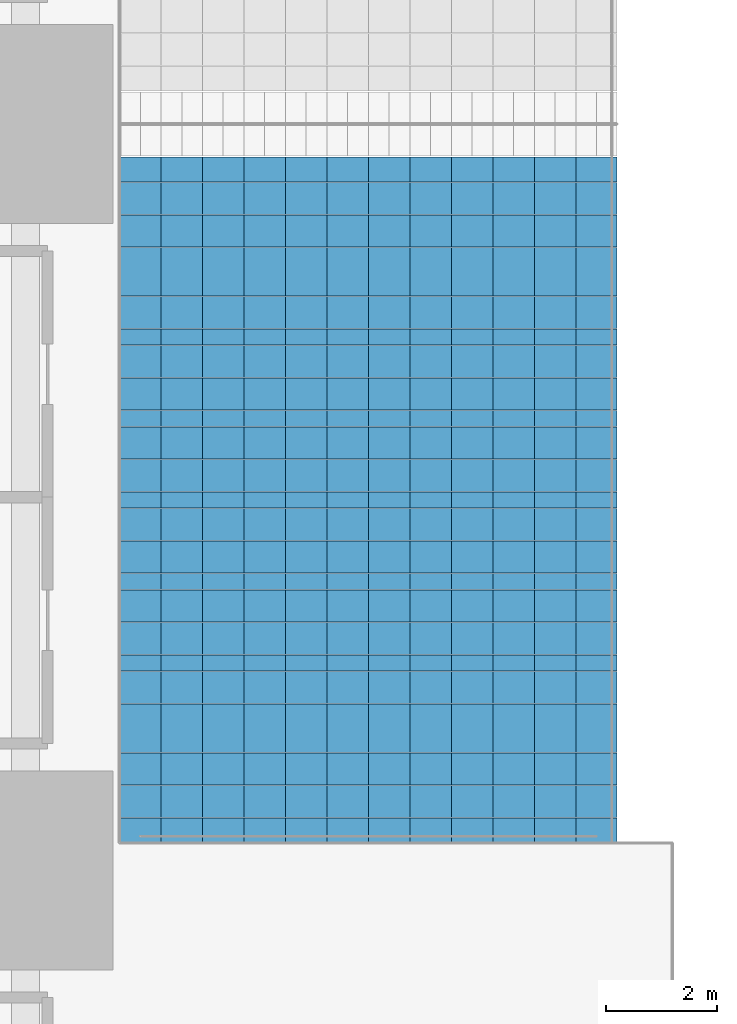
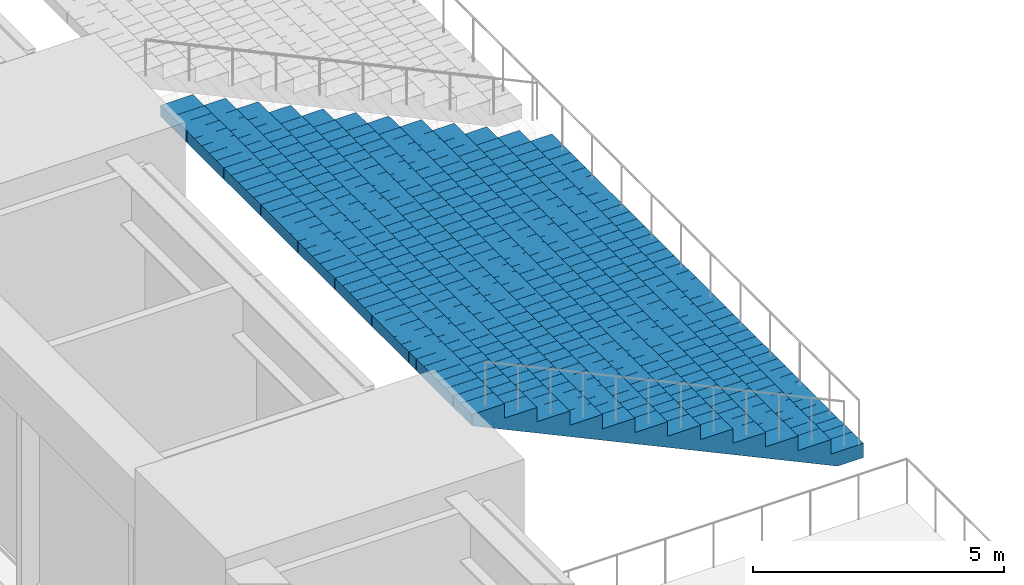
# One storey, part 14 of 61: 1 slab.
"""IFC4 building model written with IfcOpenShell, lengths in metres."""

import ifcopenshell
import ifcopenshell.guid

model = None  # the IFC model being written
_history = None  # IfcOwnerHistory: only IFC2X3 demands one
_inside = {}  # id of a spatial element -> (the spatial element, [elements in it])
_under = {}  # id of a project, library or spatial element -> (it, [spatial elements below it])
_declared = {}  # id of a project -> (the project, [libraries it declares])
_typed = {}  # id of a type object -> (the type object, [elements of that type])
_made_of = {}  # id of a material, layer set ... -> (it, [elements and type objects made of it])


def new_model(schema):
    """Start an empty IFC model of exactly this schema.

    Asked for "IFC4X3", IfcOpenShell would pick the latest addendum, in which some entities
    have other attributes; the version numbers below select the first issue.
    IFC2X3 requires an IfcOwnerHistory on every rooted entity: one is made here for all.
    """
    global model, _history
    if schema == "IFC4X3":
        model = ifcopenshell.file(schema_version=(4, 3, 0, 0))
    else:
        model = ifcopenshell.file(schema=schema)
    _inside.clear()
    _under.clear()
    _declared.clear()
    _typed.clear()
    _made_of.clear()
    _history = None
    if model.schema == "IFC2X3":
        org = make("IfcOrganization", Name="unknown")
        user = make(
            "IfcPersonAndOrganization",
            ThePerson=make("IfcPerson", FamilyName="unknown"),
            TheOrganization=org,
        )
        app = make(
            "IfcApplication",
            ApplicationDeveloper=org,
            Version="unknown",
            ApplicationFullName="unknown",
            ApplicationIdentifier="unknown",
        )
        _history = make(
            "IfcOwnerHistory",
            OwningUser=user,
            OwningApplication=app,
            ChangeAction="ADDED",
            CreationDate=0,
        )
    return model


def make(cls, **values):
    """One entity of the class cls with the attributes given. An attribute that is None is left unset."""
    return model.create_entity(
        cls, **{name: value for name, value in values.items() if value is not None}
    )


def rooted(cls, **values):
    """An entity with a GlobalId (a new one), such as an element, a storey or a relation."""
    return make(cls, GlobalId=ifcopenshell.guid.new(), OwnerHistory=_history, **values)


def si_unit(unit_type, name, prefix=None):
    """IfcSIUnit, for example si_unit("LENGTHUNIT", "METRE", prefix="MILLI")."""
    return make("IfcSIUnit", UnitType=unit_type, Prefix=prefix, Name=name)


def assignment(units):
    """IfcUnitAssignment: the units of a project."""
    return None if units is None else make("IfcUnitAssignment", Units=units)


def point(xyz):
    """IfcCartesianPoint."""
    return None if xyz is None else make("IfcCartesianPoint", Coordinates=xyz)


def direction(xyz):
    """IfcDirection."""
    return None if xyz is None else make("IfcDirection", DirectionRatios=xyz)


def frame(location, z_axis=None, x_axis=None):
    """IfcAxis2Placement3D, a coordinate frame: its origin and axes. An axis left out is left unset."""
    return make(
        "IfcAxis2Placement3D",
        Location=point(location),
        Axis=direction(z_axis),
        RefDirection=direction(x_axis),
    )


def origin():
    """The frame at (0, 0, 0) with its axes left unset."""
    return frame((0.0, 0.0, 0.0))


def place(relative_to, where):
    """IfcLocalPlacement: puts the frame where relative to a parent placement (None: the world)."""
    return make(
        "IfcLocalPlacement", PlacementRelTo=relative_to, RelativePlacement=where
    )


def context(
    kind, dimensions, precision=None, world=None, true_north=None, identifier=None
):
    """IfcGeometricRepresentationContext, for example the 3D "Model" context."""
    return make(
        "IfcGeometricRepresentationContext",
        ContextIdentifier=identifier,
        ContextType=kind,
        CoordinateSpaceDimension=dimensions,
        Precision=precision,
        WorldCoordinateSystem=world,
        TrueNorth=true_north,
    )


def subcontext(parent, identifier, kind, view, scale=None):
    """IfcGeometricRepresentationSubContext, for example "Body" below "Model"."""
    return make(
        "IfcGeometricRepresentationSubContext",
        ContextIdentifier=identifier,
        ContextType=kind,
        ParentContext=parent,
        TargetScale=scale,
        TargetView=view,
    )


def project(units=None, contexts=None):
    """IfcProject with its units and contexts."""
    return rooted(
        "IfcProject",
        Name="project",
        RepresentationContexts=contexts,
        UnitsInContext=assignment(units),
    )


def spatial(cls, under=None, at=None, **own):
    """A site, building, storey or space (cls), placed at a placement, below another one or the project."""
    s = rooted(cls, ObjectPlacement=at, **own)
    if under is not None:
        _under.setdefault(under.id(), (under, []))[1].append(s)
    return s


def polyline(points):
    """IfcPolyline through the points."""
    return make("IfcPolyline", Points=[point(p) for p in points])


def outline(outer, holes=None, kind="AREA"):
    """IfcArbitraryClosedProfileDef: a profile drawn as a closed curve; with holes, ...WithVoids."""
    if holes is None:
        return make("IfcArbitraryClosedProfileDef", ProfileType=kind, OuterCurve=outer)
    return make(
        "IfcArbitraryProfileDefWithVoids",
        ProfileType=kind,
        OuterCurve=outer,
        InnerCurves=holes,
    )


def extrude(swept, where, along, depth):
    """IfcExtrudedAreaSolid: the profile swept, set in the frame where, extruded along a direction by depth."""
    return make(
        "IfcExtrudedAreaSolid",
        SweptArea=swept,
        Position=where,
        ExtrudedDirection=direction(along),
        Depth=depth,
    )


def shape(context_of_items, identifier, shape_type, items):
    """IfcShapeRepresentation: the items that make up one representation, for example the "Body"."""
    return make(
        "IfcShapeRepresentation",
        ContextOfItems=context_of_items,
        RepresentationIdentifier=identifier,
        RepresentationType=shape_type,
        Items=items,
    )


def material(Name=None, Category=None):
    """IfcMaterial."""
    return make("IfcMaterial", Name=Name, Category=Category)


def layer(
    of_material, thickness, ventilated=None, Name=None, Category=None, Priority=None
):
    """IfcMaterialLayer: one layer of a wall or slab, of a material (None: an air gap)."""
    return make(
        "IfcMaterialLayer",
        Material=of_material,
        LayerThickness=thickness,
        IsVentilated=ventilated,
        Name=Name,
        Category=Category,
        Priority=Priority,
    )


def layer_set(layers, Name=None):
    """IfcMaterialLayerSet."""
    return make("IfcMaterialLayerSet", MaterialLayers=layers, LayerSetName=Name)


def made_of(thing, what):
    """Note that an element or type object is made of a material, layer set ...; save() writes the relation."""
    if what is not None:
        _made_of.setdefault(what.id(), (what, []))[1].append(thing)
    return thing


def type_object(cls, material=None, **own):
    """A type object (cls), such as IfcWallType, which elements share."""
    return made_of(rooted(cls, **own), material)


def element(
    cls,
    number,
    at=None,
    inside=None,
    cuts=None,
    type_object=None,
    material=None,
    context=None,
    identifier="Body",
    shape_type=None,
    held_by="IfcProductDefinitionShape",
    body=None,
    shapes=None,
    **own,
):
    """One element of the class cls, such as IfcWall. Its Tag is "e" and its number.

    at: its placement. inside: the storey or other place that contains it. cuts: it is an
    opening in that element (IfcRelVoidsElement). A single representation is given by context,
    identifier, shape_type and body (its items); several are given by shapes. held_by: the class
    of the entity that holds the representations. save() writes the other relations.
    """
    e = rooted(cls, Tag="e%d" % number, ObjectPlacement=at, **own)
    if body is not None:
        shapes = [shape(context, identifier, shape_type, body)]
    if shapes is not None:
        e.Representation = make(held_by, Representations=shapes)
    if inside is not None:
        _inside.setdefault(inside.id(), (inside, []))[1].append(e)
    if cuts is not None:
        rooted(
            "IfcRelVoidsElement", RelatingBuildingElement=cuts, RelatedOpeningElement=e
        )
    if type_object is not None:
        _typed.setdefault(type_object.id(), (type_object, []))[1].append(e)
    return made_of(e, material)


def aggregate(whole, parts):
    """IfcRelAggregates: a whole, such as a stair, and the parts it consists of."""
    return rooted("IfcRelAggregates", RelatingObject=whole, RelatedObjects=parts)


def save(model, path):
    """Write the relations noted so far, then the file.

    IfcRelAggregates (storeys below a building ...), IfcRelContainedInSpatialStructure (elements
    in a storey), IfcRelDefinesByType, IfcRelAssociatesMaterial and IfcRelDeclares: one each for
    every whole, place, type object, material and project.
    """
    for whole, parts in _under.values():
        aggregate(whole, parts)
    for where, things in _inside.values():
        rooted(
            "IfcRelContainedInSpatialStructure",
            RelatedElements=things,
            RelatingStructure=where,
        )
    for kind, things in _typed.values():
        rooted("IfcRelDefinesByType", RelatedObjects=things, RelatingType=kind)
    for what, things in _made_of.values():
        rooted("IfcRelAssociatesMaterial", RelatedObjects=things, RelatingMaterial=what)
    for by, libraries in _declared.values():
        rooted("IfcRelDeclares", RelatingContext=by, RelatedDefinitions=libraries)
    model.write(path)


model = new_model("IFC4")

# Units and contexts
model_context = context("Model", 3, precision=1e-05, world=origin(), true_north=direction((0.0, 1.0)))
body_context = subcontext(model_context, "Body", "Model", "MODEL_VIEW")
ifc_project = project(units=[si_unit("LENGTHUNIT", "METRE"), si_unit("AREAUNIT", "SQUARE_METRE"), si_unit("VOLUMEUNIT", "CUBIC_METRE"), si_unit("PLANEANGLEUNIT", "RADIAN"), si_unit("MASSUNIT", "GRAM", prefix="KILO")], contexts=[model_context])

# Site, building, storey
site_placement = place(None, origin())
site = spatial("IfcSite", under=ifc_project, at=site_placement, CompositionType="ELEMENT")
building_placement = place(site_placement, origin())
building = spatial("IfcBuilding", under=site, at=building_placement, Name="Corbelhall Arena Tower", CompositionType="ELEMENT")
storey_placement = place(building_placement, frame((0.0, 0.0, 31.0)))
storey = spatial("IfcBuildingStorey", under=building, at=storey_placement, Name="L04", CompositionType="ELEMENT", Elevation=31.0)

# Slab
ifc_material = material(Name="Precast concrete C40/50", Category="concrete")
ifc_layer = layer(ifc_material, 0.25)
ifc_layer_set = layer_set([ifc_layer], Name="AR-TIER-RAKED")
slab_type = type_object("IfcSlabType", Name="AR-TIER-RAKED", PredefinedType="FLOOR", material=ifc_layer_set)
slab_placement = place(storey_placement, frame((-32.0, -6.800048828125, 1.449951171875), z_axis=(0.0, 0.0, 1.0), x_axis=(-1.0, 0.0, 0.0)))
element("IfcSlab", 1, at=slab_placement, inside=storey, type_object=slab_type, Name="Tier section UWB", PredefinedType="FLOOR", context=body_context, shape_type="SweptSolid", body=[
    extrude(outline(polyline([(0.0, 0.0), (0.0, 0.35009765625), (0.75, 0.35009765625), (0.75, 0.699951171875), (1.5, 0.699951171875), (1.5, 1.050048828125), (2.25, 1.050048828125), (2.25, 1.39990234375), (3.0, 1.39990234375), (3.0, 1.75), (3.75, 1.75), (3.75, 2.10009765625), (4.5, 2.10009765625), (4.5, 2.449951171875), (5.25, 2.449951171875), (5.25, 2.800048828125), (6.0, 2.800048828125), (6.0, 3.14990234375), (6.75, 3.14990234375), (6.75, 3.5), (7.5, 3.5), (7.5, 3.85009765625), (8.25, 3.85009765625), (8.25, 4.199951171875), (9.0, 4.199951171875), (9.0, 4.550048828125), (9.0, 3.924072265625), (0.591064453125, 0.0), (0.0, 0.0)])), frame((0.0, 6.199951171875, 0.0), z_axis=(0.0, -1.0, 0.0), x_axis=(1.0, 0.0, 0.0)), (0.0, 0.0, 1.0), 0.449951171875),
    extrude(outline(polyline([(0.0, 0.0), (0.0, 0.35009765625), (0.75, 0.35009765625), (0.75, 0.699951171875), (1.5, 0.699951171875), (1.5, 1.050048828125), (2.25, 1.050048828125), (2.25, 1.39990234375), (3.0, 1.39990234375), (3.0, 1.75), (3.75, 1.75), (3.75, 2.10009765625), (4.5, 2.10009765625), (4.5, 2.449951171875), (5.25, 2.449951171875), (5.25, 2.800048828125), (6.0, 2.800048828125), (6.0, 3.14990234375), (6.75, 3.14990234375), (6.75, 3.5), (7.5, 3.5), (7.5, 3.85009765625), (8.25, 3.85009765625), (8.25, 4.199951171875), (9.0, 4.199951171875), (9.0, 4.550048828125), (9.0, 3.924072265625), (0.591064453125, 0.0), (0.0, 0.0)])), frame((0.0, 5.745849609375, 0.0), z_axis=(0.0, -1.0, 0.0), x_axis=(1.0, 0.0, 0.0)), (0.0, 0.0, 1.0), 0.290771484375),
    extrude(outline(polyline([(0.0, 0.0), (0.0, 0.35009765625), (0.75, 0.35009765625), (0.75, 0.699951171875), (1.5, 0.699951171875), (1.5, 1.050048828125), (2.25, 1.050048828125), (2.25, 1.39990234375), (3.0, 1.39990234375), (3.0, 1.75), (3.75, 1.75), (3.75, 2.10009765625), (4.5, 2.10009765625), (4.5, 2.449951171875), (5.25, 2.449951171875), (5.25, 2.800048828125), (6.0, 2.800048828125), (6.0, 3.14990234375), (6.75, 3.14990234375), (6.75, 3.5), (7.5, 3.5), (7.5, 3.85009765625), (8.25, 3.85009765625), (8.25, 4.199951171875), (9.0, 4.199951171875), (9.0, 4.550048828125), (9.0, 3.924072265625), (0.591064453125, 0.0), (0.0, 0.0)])), frame((0.0, 5.451171875, 0.0), z_axis=(0.0, -1.0, 0.0), x_axis=(1.0, 0.0, 0.0)), (0.0, 0.0, 1.0), 0.290771484375),
    extrude(outline(polyline([(0.0, 0.0), (0.0, 0.35009765625), (0.75, 0.35009765625), (0.75, 0.699951171875), (1.5, 0.699951171875), (1.5, 1.050048828125), (2.25, 1.050048828125), (2.25, 1.39990234375), (3.0, 1.39990234375), (3.0, 1.75), (3.75, 1.75), (3.75, 2.10009765625), (4.5, 2.10009765625), (4.5, 2.449951171875), (5.25, 2.449951171875), (5.25, 2.800048828125), (6.0, 2.800048828125), (6.0, 3.14990234375), (6.75, 3.14990234375), (6.75, 3.5), (7.5, 3.5), (7.5, 3.85009765625), (8.25, 3.85009765625), (8.25, 4.199951171875), (9.0, 4.199951171875), (9.0, 4.550048828125), (9.0, 3.924072265625), (0.591064453125, 0.0), (0.0, 0.0)])), frame((0.0, 5.156494140625, 0.0), z_axis=(0.0, -1.0, 0.0), x_axis=(1.0, 0.0, 0.0)), (0.0, 0.0, 1.0), 0.290771484375),
    extrude(outline(polyline([(0.0, 0.0), (0.0, 0.35009765625), (0.75, 0.35009765625), (0.75, 0.699951171875), (1.5, 0.699951171875), (1.5, 1.050048828125), (2.25, 1.050048828125), (2.25, 1.39990234375), (3.0, 1.39990234375), (3.0, 1.75), (3.75, 1.75), (3.75, 2.10009765625), (4.5, 2.10009765625), (4.5, 2.449951171875), (5.25, 2.449951171875), (5.25, 2.800048828125), (6.0, 2.800048828125), (6.0, 3.14990234375), (6.75, 3.14990234375), (6.75, 3.5), (7.5, 3.5), (7.5, 3.85009765625), (8.25, 3.85009765625), (8.25, 4.199951171875), (9.0, 4.199951171875), (9.0, 4.550048828125), (9.0, 3.924072265625), (0.591064453125, 0.0), (0.0, 0.0)])), frame((0.0, 4.861572265625, 0.0), z_axis=(0.0, -1.0, 0.0), x_axis=(1.0, 0.0, 0.0)), (0.0, 0.0, 1.0), 0.290771484375),
    extrude(outline(polyline([(0.0, 0.0), (0.0, 0.35009765625), (0.75, 0.35009765625), (0.75, 0.699951171875), (1.5, 0.699951171875), (1.5, 1.050048828125), (2.25, 1.050048828125), (2.25, 1.39990234375), (3.0, 1.39990234375), (3.0, 1.75), (3.75, 1.75), (3.75, 2.10009765625), (4.5, 2.10009765625), (4.5, 2.449951171875), (5.25, 2.449951171875), (5.25, 2.800048828125), (6.0, 2.800048828125), (6.0, 3.14990234375), (6.75, 3.14990234375), (6.75, 3.5), (7.5, 3.5), (7.5, 3.85009765625), (8.25, 3.85009765625), (8.25, 4.199951171875), (9.0, 4.199951171875), (9.0, 4.550048828125), (9.0, 3.924072265625), (0.591064453125, 0.0), (0.0, 0.0)])), frame((0.0, 4.56689453125, 0.0), z_axis=(0.0, -1.0, 0.0), x_axis=(1.0, 0.0, 0.0)), (0.0, 0.0, 1.0), 0.290771484375),
    extrude(outline(polyline([(0.0, 0.0), (0.0, 0.35009765625), (0.75, 0.35009765625), (0.75, 0.699951171875), (1.5, 0.699951171875), (1.5, 1.050048828125), (2.25, 1.050048828125), (2.25, 1.39990234375), (3.0, 1.39990234375), (3.0, 1.75), (3.75, 1.75), (3.75, 2.10009765625), (4.5, 2.10009765625), (4.5, 2.449951171875), (5.25, 2.449951171875), (5.25, 2.800048828125), (6.0, 2.800048828125), (6.0, 3.14990234375), (6.75, 3.14990234375), (6.75, 3.5), (7.5, 3.5), (7.5, 3.85009765625), (8.25, 3.85009765625), (8.25, 4.199951171875), (9.0, 4.199951171875), (9.0, 4.550048828125), (9.0, 3.924072265625), (0.591064453125, 0.0), (0.0, 0.0)])), frame((0.0, 4.272216796875, 0.0), z_axis=(0.0, -1.0, 0.0), x_axis=(1.0, 0.0, 0.0)), (0.0, 0.0, 1.0), 0.290771484375),
    extrude(outline(polyline([(0.0, 0.0), (0.0, 0.35009765625), (0.75, 0.35009765625), (0.75, 0.699951171875), (1.5, 0.699951171875), (1.5, 1.050048828125), (2.25, 1.050048828125), (2.25, 1.39990234375), (3.0, 1.39990234375), (3.0, 1.75), (3.75, 1.75), (3.75, 2.10009765625), (4.5, 2.10009765625), (4.5, 2.449951171875), (5.25, 2.449951171875), (5.25, 2.800048828125), (6.0, 2.800048828125), (6.0, 3.14990234375), (6.75, 3.14990234375), (6.75, 3.5), (7.5, 3.5), (7.5, 3.85009765625), (8.25, 3.85009765625), (8.25, 4.199951171875), (9.0, 4.199951171875), (9.0, 4.550048828125), (9.0, 3.924072265625), (0.591064453125, 0.0), (0.0, 0.0)])), frame((0.0, 3.977294921875, 0.0), z_axis=(0.0, -1.0, 0.0), x_axis=(1.0, 0.0, 0.0)), (0.0, 0.0, 1.0), 0.290771484375),
    extrude(outline(polyline([(0.0, 0.0), (0.0, 0.35009765625), (0.75, 0.35009765625), (0.75, 0.699951171875), (1.5, 0.699951171875), (1.5, 1.050048828125), (2.25, 1.050048828125), (2.25, 1.39990234375), (3.0, 1.39990234375), (3.0, 1.75), (3.75, 1.75), (3.75, 2.10009765625), (4.5, 2.10009765625), (4.5, 2.449951171875), (5.25, 2.449951171875), (5.25, 2.800048828125), (6.0, 2.800048828125), (6.0, 3.14990234375), (6.75, 3.14990234375), (6.75, 3.5), (7.5, 3.5), (7.5, 3.85009765625), (8.25, 3.85009765625), (8.25, 4.199951171875), (9.0, 4.199951171875), (9.0, 4.550048828125), (9.0, 3.924072265625), (0.591064453125, 0.0), (0.0, 0.0)])), frame((0.0, 3.6826171875, 0.0), z_axis=(0.0, -1.0, 0.0), x_axis=(1.0, 0.0, 0.0)), (0.0, 0.0, 1.0), 0.290771484375),
    extrude(outline(polyline([(0.0, 0.0), (0.0, 0.35009765625), (0.75, 0.35009765625), (0.75, 0.699951171875), (1.5, 0.699951171875), (1.5, 1.050048828125), (2.25, 1.050048828125), (2.25, 1.39990234375), (3.0, 1.39990234375), (3.0, 1.75), (3.75, 1.75), (3.75, 2.10009765625), (4.5, 2.10009765625), (4.5, 2.449951171875), (5.25, 2.449951171875), (5.25, 2.800048828125), (6.0, 2.800048828125), (6.0, 3.14990234375), (6.75, 3.14990234375), (6.75, 3.5), (7.5, 3.5), (7.5, 3.85009765625), (8.25, 3.85009765625), (8.25, 4.199951171875), (9.0, 4.199951171875), (9.0, 4.550048828125), (9.0, 3.924072265625), (0.591064453125, 0.0), (0.0, 0.0)])), frame((0.0, 3.3876953125, 0.0), z_axis=(0.0, -1.0, 0.0), x_axis=(1.0, 0.0, 0.0)), (0.0, 0.0, 1.0), 0.290771484375),
    extrude(outline(polyline([(0.0, 0.0), (0.0, 0.35009765625), (0.75, 0.35009765625), (0.75, 0.699951171875), (1.5, 0.699951171875), (1.5, 1.050048828125), (2.25, 1.050048828125), (2.25, 1.39990234375), (3.0, 1.39990234375), (3.0, 1.75), (3.75, 1.75), (3.75, 2.10009765625), (4.5, 2.10009765625), (4.5, 2.449951171875), (5.25, 2.449951171875), (5.25, 2.800048828125), (6.0, 2.800048828125), (6.0, 3.14990234375), (6.75, 3.14990234375), (6.75, 3.5), (7.5, 3.5), (7.5, 3.85009765625), (8.25, 3.85009765625), (8.25, 4.199951171875), (9.0, 4.199951171875), (9.0, 4.550048828125), (9.0, 3.924072265625), (0.591064453125, 0.0), (0.0, 0.0)])), frame((0.0, 3.093017578125, 0.0), z_axis=(0.0, -1.0, 0.0), x_axis=(1.0, 0.0, 0.0)), (0.0, 0.0, 1.0), 0.290771484375),
    extrude(outline(polyline([(0.0, 0.0), (0.0, 0.35009765625), (0.75, 0.35009765625), (0.75, 0.699951171875), (1.5, 0.699951171875), (1.5, 1.050048828125), (2.25, 1.050048828125), (2.25, 1.39990234375), (3.0, 1.39990234375), (3.0, 1.75), (3.75, 1.75), (3.75, 2.10009765625), (4.5, 2.10009765625), (4.5, 2.449951171875), (5.25, 2.449951171875), (5.25, 2.800048828125), (6.0, 2.800048828125), (6.0, 3.14990234375), (6.75, 3.14990234375), (6.75, 3.5), (7.5, 3.5), (7.5, 3.85009765625), (8.25, 3.85009765625), (8.25, 4.199951171875), (9.0, 4.199951171875), (9.0, 4.550048828125), (9.0, 3.924072265625), (0.591064453125, 0.0), (0.0, 0.0)])), frame((0.0, 2.79833984375, 0.0), z_axis=(0.0, -1.0, 0.0), x_axis=(1.0, 0.0, 0.0)), (0.0, 0.0, 1.0), 0.290771484375),
    extrude(outline(polyline([(0.0, 0.0), (0.0, 0.35009765625), (0.75, 0.35009765625), (0.75, 0.699951171875), (1.5, 0.699951171875), (1.5, 1.050048828125), (2.25, 1.050048828125), (2.25, 1.39990234375), (3.0, 1.39990234375), (3.0, 1.75), (3.75, 1.75), (3.75, 2.10009765625), (4.5, 2.10009765625), (4.5, 2.449951171875), (5.25, 2.449951171875), (5.25, 2.800048828125), (6.0, 2.800048828125), (6.0, 3.14990234375), (6.75, 3.14990234375), (6.75, 3.5), (7.5, 3.5), (7.5, 3.85009765625), (8.25, 3.85009765625), (8.25, 4.199951171875), (9.0, 4.199951171875), (9.0, 4.550048828125), (9.0, 3.924072265625), (0.591064453125, 0.0), (0.0, 0.0)])), frame((0.0, 2.50341796875, 0.0), z_axis=(0.0, -1.0, 0.0), x_axis=(1.0, 0.0, 0.0)), (0.0, 0.0, 1.0), 0.290771484375),
    extrude(outline(polyline([(0.0, 0.0), (0.0, 0.35009765625), (0.75, 0.35009765625), (0.75, 0.699951171875), (1.5, 0.699951171875), (1.5, 1.050048828125), (2.25, 1.050048828125), (2.25, 1.39990234375), (3.0, 1.39990234375), (3.0, 1.75), (3.75, 1.75), (3.75, 2.10009765625), (4.5, 2.10009765625), (4.5, 2.449951171875), (5.25, 2.449951171875), (5.25, 2.800048828125), (6.0, 2.800048828125), (6.0, 3.14990234375), (6.75, 3.14990234375), (6.75, 3.5), (7.5, 3.5), (7.5, 3.85009765625), (8.25, 3.85009765625), (8.25, 4.199951171875), (9.0, 4.199951171875), (9.0, 4.550048828125), (9.0, 3.924072265625), (0.591064453125, 0.0), (0.0, 0.0)])), frame((0.0, 2.208740234375, 0.0), z_axis=(0.0, -1.0, 0.0), x_axis=(1.0, 0.0, 0.0)), (0.0, 0.0, 1.0), 0.290771484375),
    extrude(outline(polyline([(0.0, 0.0), (0.0, 0.35009765625), (0.75, 0.35009765625), (0.75, 0.699951171875), (1.5, 0.699951171875), (1.5, 1.050048828125), (2.25, 1.050048828125), (2.25, 1.39990234375), (3.0, 1.39990234375), (3.0, 1.75), (3.75, 1.75), (3.75, 2.10009765625), (4.5, 2.10009765625), (4.5, 2.449951171875), (5.25, 2.449951171875), (5.25, 2.800048828125), (6.0, 2.800048828125), (6.0, 3.14990234375), (6.75, 3.14990234375), (6.75, 3.5), (7.5, 3.5), (7.5, 3.85009765625), (8.25, 3.85009765625), (8.25, 4.199951171875), (9.0, 4.199951171875), (9.0, 4.550048828125), (9.0, 3.924072265625), (0.591064453125, 0.0), (0.0, 0.0)])), frame((0.0, 1.9140625, 0.0), z_axis=(0.0, -1.0, 0.0), x_axis=(1.0, 0.0, 0.0)), (0.0, 0.0, 1.0), 0.290771484375),
    extrude(outline(polyline([(0.0, 0.0), (0.0, 0.35009765625), (0.75, 0.35009765625), (0.75, 0.699951171875), (1.5, 0.699951171875), (1.5, 1.050048828125), (2.25, 1.050048828125), (2.25, 1.39990234375), (3.0, 1.39990234375), (3.0, 1.75), (3.75, 1.75), (3.75, 2.10009765625), (4.5, 2.10009765625), (4.5, 2.449951171875), (5.25, 2.449951171875), (5.25, 2.800048828125), (6.0, 2.800048828125), (6.0, 3.14990234375), (6.75, 3.14990234375), (6.75, 3.5), (7.5, 3.5), (7.5, 3.85009765625), (8.25, 3.85009765625), (8.25, 4.199951171875), (9.0, 4.199951171875), (9.0, 4.550048828125), (9.0, 3.924072265625), (0.591064453125, 0.0), (0.0, 0.0)])), frame((0.0, 1.619140625, 0.0), z_axis=(0.0, -1.0, 0.0), x_axis=(1.0, 0.0, 0.0)), (0.0, 0.0, 1.0), 0.290771484375),
    extrude(outline(polyline([(0.0, 0.0), (0.0, 0.35009765625), (0.75, 0.35009765625), (0.75, 0.699951171875), (1.5, 0.699951171875), (1.5, 1.050048828125), (2.25, 1.050048828125), (2.25, 1.39990234375), (3.0, 1.39990234375), (3.0, 1.75), (3.75, 1.75), (3.75, 2.10009765625), (4.5, 2.10009765625), (4.5, 2.449951171875), (5.25, 2.449951171875), (5.25, 2.800048828125), (6.0, 2.800048828125), (6.0, 3.14990234375), (6.75, 3.14990234375), (6.75, 3.5), (7.5, 3.5), (7.5, 3.85009765625), (8.25, 3.85009765625), (8.25, 4.199951171875), (9.0, 4.199951171875), (9.0, 4.550048828125), (9.0, 3.924072265625), (0.591064453125, 0.0), (0.0, 0.0)])), frame((0.0, 1.324462890625, 0.0), z_axis=(0.0, -1.0, 0.0), x_axis=(1.0, 0.0, 0.0)), (0.0, 0.0, 1.0), 0.290771484375),
    extrude(outline(polyline([(0.0, 0.0), (0.0, 0.35009765625), (0.75, 0.35009765625), (0.75, 0.699951171875), (1.5, 0.699951171875), (1.5, 1.050048828125), (2.25, 1.050048828125), (2.25, 1.39990234375), (3.0, 1.39990234375), (3.0, 1.75), (3.75, 1.75), (3.75, 2.10009765625), (4.5, 2.10009765625), (4.5, 2.449951171875), (5.25, 2.449951171875), (5.25, 2.800048828125), (6.0, 2.800048828125), (6.0, 3.14990234375), (6.75, 3.14990234375), (6.75, 3.5), (7.5, 3.5), (7.5, 3.85009765625), (8.25, 3.85009765625), (8.25, 4.199951171875), (9.0, 4.199951171875), (9.0, 4.550048828125), (9.0, 3.924072265625), (0.591064453125, 0.0), (0.0, 0.0)])), frame((0.0, 1.02978515625, 0.0), z_axis=(0.0, -1.0, 0.0), x_axis=(1.0, 0.0, 0.0)), (0.0, 0.0, 1.0), 0.290771484375),
    extrude(outline(polyline([(0.0, 0.0), (0.0, 0.35009765625), (0.75, 0.35009765625), (0.75, 0.699951171875), (1.5, 0.699951171875), (1.5, 1.050048828125), (2.25, 1.050048828125), (2.25, 1.39990234375), (3.0, 1.39990234375), (3.0, 1.75), (3.75, 1.75), (3.75, 2.10009765625), (4.5, 2.10009765625), (4.5, 2.449951171875), (5.25, 2.449951171875), (5.25, 2.800048828125), (6.0, 2.800048828125), (6.0, 3.14990234375), (6.75, 3.14990234375), (6.75, 3.5), (7.5, 3.5), (7.5, 3.85009765625), (8.25, 3.85009765625), (8.25, 4.199951171875), (9.0, 4.199951171875), (9.0, 4.550048828125), (9.0, 3.924072265625), (0.591064453125, 0.0), (0.0, 0.0)])), frame((0.0, 0.73486328125, 0.0), z_axis=(0.0, -1.0, 0.0), x_axis=(1.0, 0.0, 0.0)), (0.0, 0.0, 1.0), 0.290771484375),
    extrude(outline(polyline([(0.0, 0.0), (0.0, 0.35009765625), (0.75, 0.35009765625), (0.75, 0.699951171875), (1.5, 0.699951171875), (1.5, 1.050048828125), (2.25, 1.050048828125), (2.25, 1.39990234375), (3.0, 1.39990234375), (3.0, 1.75), (3.75, 1.75), (3.75, 2.10009765625), (4.5, 2.10009765625), (4.5, 2.449951171875), (5.25, 2.449951171875), (5.25, 2.800048828125), (6.0, 2.800048828125), (6.0, 3.14990234375), (6.75, 3.14990234375), (6.75, 3.5), (7.5, 3.5), (7.5, 3.85009765625), (8.25, 3.85009765625), (8.25, 4.199951171875), (9.0, 4.199951171875), (9.0, 4.550048828125), (9.0, 3.924072265625), (0.591064453125, 0.0), (0.0, 0.0)])), frame((0.0, 0.440185546875, 0.0), z_axis=(0.0, -1.0, 0.0), x_axis=(1.0, 0.0, 0.0)), (0.0, 0.0, 1.0), 0.290771484375),
    extrude(outline(polyline([(0.0, 0.0), (0.0, 0.35009765625), (0.75, 0.35009765625), (0.75, 0.699951171875), (1.5, 0.699951171875), (1.5, 1.050048828125), (2.25, 1.050048828125), (2.25, 1.39990234375), (3.0, 1.39990234375), (3.0, 1.75), (3.75, 1.75), (3.75, 2.10009765625), (4.5, 2.10009765625), (4.5, 2.449951171875), (5.25, 2.449951171875), (5.25, 2.800048828125), (6.0, 2.800048828125), (6.0, 3.14990234375), (6.75, 3.14990234375), (6.75, 3.5), (7.5, 3.5), (7.5, 3.85009765625), (8.25, 3.85009765625), (8.25, 4.199951171875), (9.0, 4.199951171875), (9.0, 4.550048828125), (9.0, 3.924072265625), (0.591064453125, 0.0), (0.0, 0.0)])), frame((0.0, 0.145263671875, 0.0), z_axis=(0.0, -1.0, 0.0), x_axis=(1.0, 0.0, 0.0)), (0.0, 0.0, 1.0), 0.290771484375),
    extrude(outline(polyline([(0.0, 0.0), (0.0, 0.35009765625), (0.75, 0.35009765625), (0.75, 0.699951171875), (1.5, 0.699951171875), (1.5, 1.050048828125), (2.25, 1.050048828125), (2.25, 1.39990234375), (3.0, 1.39990234375), (3.0, 1.75), (3.75, 1.75), (3.75, 2.10009765625), (4.5, 2.10009765625), (4.5, 2.449951171875), (5.25, 2.449951171875), (5.25, 2.800048828125), (6.0, 2.800048828125), (6.0, 3.14990234375), (6.75, 3.14990234375), (6.75, 3.5), (7.5, 3.5), (7.5, 3.85009765625), (8.25, 3.85009765625), (8.25, 4.199951171875), (9.0, 4.199951171875), (9.0, 4.550048828125), (9.0, 3.924072265625), (0.591064453125, 0.0), (0.0, 0.0)])), frame((0.0, -0.1494140625, 0.0), z_axis=(0.0, -1.0, 0.0), x_axis=(1.0, 0.0, 0.0)), (0.0, 0.0, 1.0), 0.290771484375),
    extrude(outline(polyline([(0.0, 0.0), (0.0, 0.35009765625), (0.75, 0.35009765625), (0.75, 0.699951171875), (1.5, 0.699951171875), (1.5, 1.050048828125), (2.25, 1.050048828125), (2.25, 1.39990234375), (3.0, 1.39990234375), (3.0, 1.75), (3.75, 1.75), (3.75, 2.10009765625), (4.5, 2.10009765625), (4.5, 2.449951171875), (5.25, 2.449951171875), (5.25, 2.800048828125), (6.0, 2.800048828125), (6.0, 3.14990234375), (6.75, 3.14990234375), (6.75, 3.5), (7.5, 3.5), (7.5, 3.85009765625), (8.25, 3.85009765625), (8.25, 4.199951171875), (9.0, 4.199951171875), (9.0, 4.550048828125), (9.0, 3.924072265625), (0.591064453125, 0.0), (0.0, 0.0)])), frame((0.0, -0.444091796875, 0.0), z_axis=(0.0, -1.0, 0.0), x_axis=(1.0, 0.0, 0.0)), (0.0, 0.0, 1.0), 0.290771484375),
    extrude(outline(polyline([(0.0, 0.0), (0.0, 0.35009765625), (0.75, 0.35009765625), (0.75, 0.699951171875), (1.5, 0.699951171875), (1.5, 1.050048828125), (2.25, 1.050048828125), (2.25, 1.39990234375), (3.0, 1.39990234375), (3.0, 1.75), (3.75, 1.75), (3.75, 2.10009765625), (4.5, 2.10009765625), (4.5, 2.449951171875), (5.25, 2.449951171875), (5.25, 2.800048828125), (6.0, 2.800048828125), (6.0, 3.14990234375), (6.75, 3.14990234375), (6.75, 3.5), (7.5, 3.5), (7.5, 3.85009765625), (8.25, 3.85009765625), (8.25, 4.199951171875), (9.0, 4.199951171875), (9.0, 4.550048828125), (9.0, 3.924072265625), (0.591064453125, 0.0), (0.0, 0.0)])), frame((0.0, -0.739013671875, 0.0), z_axis=(0.0, -1.0, 0.0), x_axis=(1.0, 0.0, 0.0)), (0.0, 0.0, 1.0), 0.290771484375),
    extrude(outline(polyline([(0.0, 0.0), (0.0, 0.35009765625), (0.75, 0.35009765625), (0.75, 0.699951171875), (1.5, 0.699951171875), (1.5, 1.050048828125), (2.25, 1.050048828125), (2.25, 1.39990234375), (3.0, 1.39990234375), (3.0, 1.75), (3.75, 1.75), (3.75, 2.10009765625), (4.5, 2.10009765625), (4.5, 2.449951171875), (5.25, 2.449951171875), (5.25, 2.800048828125), (6.0, 2.800048828125), (6.0, 3.14990234375), (6.75, 3.14990234375), (6.75, 3.5), (7.5, 3.5), (7.5, 3.85009765625), (8.25, 3.85009765625), (8.25, 4.199951171875), (9.0, 4.199951171875), (9.0, 4.550048828125), (9.0, 3.924072265625), (0.591064453125, 0.0), (0.0, 0.0)])), frame((0.0, -1.03369140625, 0.0), z_axis=(0.0, -1.0, 0.0), x_axis=(1.0, 0.0, 0.0)), (0.0, 0.0, 1.0), 0.290771484375),
    extrude(outline(polyline([(0.0, 0.0), (0.0, 0.35009765625), (0.75, 0.35009765625), (0.75, 0.699951171875), (1.5, 0.699951171875), (1.5, 1.050048828125), (2.25, 1.050048828125), (2.25, 1.39990234375), (3.0, 1.39990234375), (3.0, 1.75), (3.75, 1.75), (3.75, 2.10009765625), (4.5, 2.10009765625), (4.5, 2.449951171875), (5.25, 2.449951171875), (5.25, 2.800048828125), (6.0, 2.800048828125), (6.0, 3.14990234375), (6.75, 3.14990234375), (6.75, 3.5), (7.5, 3.5), (7.5, 3.85009765625), (8.25, 3.85009765625), (8.25, 4.199951171875), (9.0, 4.199951171875), (9.0, 4.550048828125), (9.0, 3.924072265625), (0.591064453125, 0.0), (0.0, 0.0)])), frame((0.0, -1.328369140625, 0.0), z_axis=(0.0, -1.0, 0.0), x_axis=(1.0, 0.0, 0.0)), (0.0, 0.0, 1.0), 0.290771484375),
    extrude(outline(polyline([(0.0, 0.0), (0.0, 0.35009765625), (0.75, 0.35009765625), (0.75, 0.699951171875), (1.5, 0.699951171875), (1.5, 1.050048828125), (2.25, 1.050048828125), (2.25, 1.39990234375), (3.0, 1.39990234375), (3.0, 1.75), (3.75, 1.75), (3.75, 2.10009765625), (4.5, 2.10009765625), (4.5, 2.449951171875), (5.25, 2.449951171875), (5.25, 2.800048828125), (6.0, 2.800048828125), (6.0, 3.14990234375), (6.75, 3.14990234375), (6.75, 3.5), (7.5, 3.5), (7.5, 3.85009765625), (8.25, 3.85009765625), (8.25, 4.199951171875), (9.0, 4.199951171875), (9.0, 4.550048828125), (9.0, 3.924072265625), (0.591064453125, 0.0), (0.0, 0.0)])), frame((0.0, -1.623291015625, 0.0), z_axis=(0.0, -1.0, 0.0), x_axis=(1.0, 0.0, 0.0)), (0.0, 0.0, 1.0), 0.290771484375),
    extrude(outline(polyline([(0.0, 0.0), (0.0, 0.35009765625), (0.75, 0.35009765625), (0.75, 0.699951171875), (1.5, 0.699951171875), (1.5, 1.050048828125), (2.25, 1.050048828125), (2.25, 1.39990234375), (3.0, 1.39990234375), (3.0, 1.75), (3.75, 1.75), (3.75, 2.10009765625), (4.5, 2.10009765625), (4.5, 2.449951171875), (5.25, 2.449951171875), (5.25, 2.800048828125), (6.0, 2.800048828125), (6.0, 3.14990234375), (6.75, 3.14990234375), (6.75, 3.5), (7.5, 3.5), (7.5, 3.85009765625), (8.25, 3.85009765625), (8.25, 4.199951171875), (9.0, 4.199951171875), (9.0, 4.550048828125), (9.0, 3.924072265625), (0.591064453125, 0.0), (0.0, 0.0)])), frame((0.0, -1.91796875, 0.0), z_axis=(0.0, -1.0, 0.0), x_axis=(1.0, 0.0, 0.0)), (0.0, 0.0, 1.0), 0.290771484375),
    extrude(outline(polyline([(0.0, 0.0), (0.0, 0.35009765625), (0.75, 0.35009765625), (0.75, 0.699951171875), (1.5, 0.699951171875), (1.5, 1.050048828125), (2.25, 1.050048828125), (2.25, 1.39990234375), (3.0, 1.39990234375), (3.0, 1.75), (3.75, 1.75), (3.75, 2.10009765625), (4.5, 2.10009765625), (4.5, 2.449951171875), (5.25, 2.449951171875), (5.25, 2.800048828125), (6.0, 2.800048828125), (6.0, 3.14990234375), (6.75, 3.14990234375), (6.75, 3.5), (7.5, 3.5), (7.5, 3.85009765625), (8.25, 3.85009765625), (8.25, 4.199951171875), (9.0, 4.199951171875), (9.0, 4.550048828125), (9.0, 3.924072265625), (0.591064453125, 0.0), (0.0, 0.0)])), frame((0.0, -2.212646484375, 0.0), z_axis=(0.0, -1.0, 0.0), x_axis=(1.0, 0.0, 0.0)), (0.0, 0.0, 1.0), 0.290771484375),
    extrude(outline(polyline([(0.0, 0.0), (0.0, 0.35009765625), (0.75, 0.35009765625), (0.75, 0.699951171875), (1.5, 0.699951171875), (1.5, 1.050048828125), (2.25, 1.050048828125), (2.25, 1.39990234375), (3.0, 1.39990234375), (3.0, 1.75), (3.75, 1.75), (3.75, 2.10009765625), (4.5, 2.10009765625), (4.5, 2.449951171875), (5.25, 2.449951171875), (5.25, 2.800048828125), (6.0, 2.800048828125), (6.0, 3.14990234375), (6.75, 3.14990234375), (6.75, 3.5), (7.5, 3.5), (7.5, 3.85009765625), (8.25, 3.85009765625), (8.25, 4.199951171875), (9.0, 4.199951171875), (9.0, 4.550048828125), (9.0, 3.924072265625), (0.591064453125, 0.0), (0.0, 0.0)])), frame((0.0, -2.507568359375, 0.0), z_axis=(0.0, -1.0, 0.0), x_axis=(1.0, 0.0, 0.0)), (0.0, 0.0, 1.0), 0.290771484375),
    extrude(outline(polyline([(0.0, 0.0), (0.0, 0.35009765625), (0.75, 0.35009765625), (0.75, 0.699951171875), (1.5, 0.699951171875), (1.5, 1.050048828125), (2.25, 1.050048828125), (2.25, 1.39990234375), (3.0, 1.39990234375), (3.0, 1.75), (3.75, 1.75), (3.75, 2.10009765625), (4.5, 2.10009765625), (4.5, 2.449951171875), (5.25, 2.449951171875), (5.25, 2.800048828125), (6.0, 2.800048828125), (6.0, 3.14990234375), (6.75, 3.14990234375), (6.75, 3.5), (7.5, 3.5), (7.5, 3.85009765625), (8.25, 3.85009765625), (8.25, 4.199951171875), (9.0, 4.199951171875), (9.0, 4.550048828125), (9.0, 3.924072265625), (0.591064453125, 0.0), (0.0, 0.0)])), frame((0.0, -2.80224609375, 0.0), z_axis=(0.0, -1.0, 0.0), x_axis=(1.0, 0.0, 0.0)), (0.0, 0.0, 1.0), 0.290771484375),
    extrude(outline(polyline([(0.0, 0.0), (0.0, 0.35009765625), (0.75, 0.35009765625), (0.75, 0.699951171875), (1.5, 0.699951171875), (1.5, 1.050048828125), (2.25, 1.050048828125), (2.25, 1.39990234375), (3.0, 1.39990234375), (3.0, 1.75), (3.75, 1.75), (3.75, 2.10009765625), (4.5, 2.10009765625), (4.5, 2.449951171875), (5.25, 2.449951171875), (5.25, 2.800048828125), (6.0, 2.800048828125), (6.0, 3.14990234375), (6.75, 3.14990234375), (6.75, 3.5), (7.5, 3.5), (7.5, 3.85009765625), (8.25, 3.85009765625), (8.25, 4.199951171875), (9.0, 4.199951171875), (9.0, 4.550048828125), (9.0, 3.924072265625), (0.591064453125, 0.0), (0.0, 0.0)])), frame((0.0, -3.09716796875, 0.0), z_axis=(0.0, -1.0, 0.0), x_axis=(1.0, 0.0, 0.0)), (0.0, 0.0, 1.0), 0.290771484375),
    extrude(outline(polyline([(0.0, 0.0), (0.0, 0.35009765625), (0.75, 0.35009765625), (0.75, 0.699951171875), (1.5, 0.699951171875), (1.5, 1.050048828125), (2.25, 1.050048828125), (2.25, 1.39990234375), (3.0, 1.39990234375), (3.0, 1.75), (3.75, 1.75), (3.75, 2.10009765625), (4.5, 2.10009765625), (4.5, 2.449951171875), (5.25, 2.449951171875), (5.25, 2.800048828125), (6.0, 2.800048828125), (6.0, 3.14990234375), (6.75, 3.14990234375), (6.75, 3.5), (7.5, 3.5), (7.5, 3.85009765625), (8.25, 3.85009765625), (8.25, 4.199951171875), (9.0, 4.199951171875), (9.0, 4.550048828125), (9.0, 3.924072265625), (0.591064453125, 0.0), (0.0, 0.0)])), frame((0.0, -3.391845703125, 0.0), z_axis=(0.0, -1.0, 0.0), x_axis=(1.0, 0.0, 0.0)), (0.0, 0.0, 1.0), 0.290771484375),
    extrude(outline(polyline([(0.0, 0.0), (0.0, 0.35009765625), (0.75, 0.35009765625), (0.75, 0.699951171875), (1.5, 0.699951171875), (1.5, 1.050048828125), (2.25, 1.050048828125), (2.25, 1.39990234375), (3.0, 1.39990234375), (3.0, 1.75), (3.75, 1.75), (3.75, 2.10009765625), (4.5, 2.10009765625), (4.5, 2.449951171875), (5.25, 2.449951171875), (5.25, 2.800048828125), (6.0, 2.800048828125), (6.0, 3.14990234375), (6.75, 3.14990234375), (6.75, 3.5), (7.5, 3.5), (7.5, 3.85009765625), (8.25, 3.85009765625), (8.25, 4.199951171875), (9.0, 4.199951171875), (9.0, 4.550048828125), (9.0, 3.924072265625), (0.591064453125, 0.0), (0.0, 0.0)])), frame((0.0, -3.6865234375, 0.0), z_axis=(0.0, -1.0, 0.0), x_axis=(1.0, 0.0, 0.0)), (0.0, 0.0, 1.0), 0.290771484375),
    extrude(outline(polyline([(0.0, 0.0), (0.0, 0.35009765625), (0.75, 0.35009765625), (0.75, 0.699951171875), (1.5, 0.699951171875), (1.5, 1.050048828125), (2.25, 1.050048828125), (2.25, 1.39990234375), (3.0, 1.39990234375), (3.0, 1.75), (3.75, 1.75), (3.75, 2.10009765625), (4.5, 2.10009765625), (4.5, 2.449951171875), (5.25, 2.449951171875), (5.25, 2.800048828125), (6.0, 2.800048828125), (6.0, 3.14990234375), (6.75, 3.14990234375), (6.75, 3.5), (7.5, 3.5), (7.5, 3.85009765625), (8.25, 3.85009765625), (8.25, 4.199951171875), (9.0, 4.199951171875), (9.0, 4.550048828125), (9.0, 3.924072265625), (0.591064453125, 0.0), (0.0, 0.0)])), frame((0.0, -3.9814453125, 0.0), z_axis=(0.0, -1.0, 0.0), x_axis=(1.0, 0.0, 0.0)), (0.0, 0.0, 1.0), 0.290771484375),
    extrude(outline(polyline([(0.0, 0.0), (0.0, 0.35009765625), (0.75, 0.35009765625), (0.75, 0.699951171875), (1.5, 0.699951171875), (1.5, 1.050048828125), (2.25, 1.050048828125), (2.25, 1.39990234375), (3.0, 1.39990234375), (3.0, 1.75), (3.75, 1.75), (3.75, 2.10009765625), (4.5, 2.10009765625), (4.5, 2.449951171875), (5.25, 2.449951171875), (5.25, 2.800048828125), (6.0, 2.800048828125), (6.0, 3.14990234375), (6.75, 3.14990234375), (6.75, 3.5), (7.5, 3.5), (7.5, 3.85009765625), (8.25, 3.85009765625), (8.25, 4.199951171875), (9.0, 4.199951171875), (9.0, 4.550048828125), (9.0, 3.924072265625), (0.591064453125, 0.0), (0.0, 0.0)])), frame((0.0, -4.276123046875, 0.0), z_axis=(0.0, -1.0, 0.0), x_axis=(1.0, 0.0, 0.0)), (0.0, 0.0, 1.0), 0.290771484375),
    extrude(outline(polyline([(0.0, 0.0), (0.0, 0.35009765625), (0.75, 0.35009765625), (0.75, 0.699951171875), (1.5, 0.699951171875), (1.5, 1.050048828125), (2.25, 1.050048828125), (2.25, 1.39990234375), (3.0, 1.39990234375), (3.0, 1.75), (3.75, 1.75), (3.75, 2.10009765625), (4.5, 2.10009765625), (4.5, 2.449951171875), (5.25, 2.449951171875), (5.25, 2.800048828125), (6.0, 2.800048828125), (6.0, 3.14990234375), (6.75, 3.14990234375), (6.75, 3.5), (7.5, 3.5), (7.5, 3.85009765625), (8.25, 3.85009765625), (8.25, 4.199951171875), (9.0, 4.199951171875), (9.0, 4.550048828125), (9.0, 3.924072265625), (0.591064453125, 0.0), (0.0, 0.0)])), frame((0.0, -4.57080078125, 0.0), z_axis=(0.0, -1.0, 0.0), x_axis=(1.0, 0.0, 0.0)), (0.0, 0.0, 1.0), 0.290771484375),
    extrude(outline(polyline([(0.0, 0.0), (0.0, 0.35009765625), (0.75, 0.35009765625), (0.75, 0.699951171875), (1.5, 0.699951171875), (1.5, 1.050048828125), (2.25, 1.050048828125), (2.25, 1.39990234375), (3.0, 1.39990234375), (3.0, 1.75), (3.75, 1.75), (3.75, 2.10009765625), (4.5, 2.10009765625), (4.5, 2.449951171875), (5.25, 2.449951171875), (5.25, 2.800048828125), (6.0, 2.800048828125), (6.0, 3.14990234375), (6.75, 3.14990234375), (6.75, 3.5), (7.5, 3.5), (7.5, 3.85009765625), (8.25, 3.85009765625), (8.25, 4.199951171875), (9.0, 4.199951171875), (9.0, 4.550048828125), (9.0, 3.924072265625), (0.591064453125, 0.0), (0.0, 0.0)])), frame((0.0, -4.86572265625, 0.0), z_axis=(0.0, -1.0, 0.0), x_axis=(1.0, 0.0, 0.0)), (0.0, 0.0, 1.0), 0.290771484375),
    extrude(outline(polyline([(0.0, 0.0), (0.0, 0.35009765625), (0.75, 0.35009765625), (0.75, 0.699951171875), (1.5, 0.699951171875), (1.5, 1.050048828125), (2.25, 1.050048828125), (2.25, 1.39990234375), (3.0, 1.39990234375), (3.0, 1.75), (3.75, 1.75), (3.75, 2.10009765625), (4.5, 2.10009765625), (4.5, 2.449951171875), (5.25, 2.449951171875), (5.25, 2.800048828125), (6.0, 2.800048828125), (6.0, 3.14990234375), (6.75, 3.14990234375), (6.75, 3.5), (7.5, 3.5), (7.5, 3.85009765625), (8.25, 3.85009765625), (8.25, 4.199951171875), (9.0, 4.199951171875), (9.0, 4.550048828125), (9.0, 3.924072265625), (0.591064453125, 0.0), (0.0, 0.0)])), frame((0.0, -5.160400390625, 0.0), z_axis=(0.0, -1.0, 0.0), x_axis=(1.0, 0.0, 0.0)), (0.0, 0.0, 1.0), 0.290771484375),
    extrude(outline(polyline([(0.0, 0.0), (0.0, 0.35009765625), (0.75, 0.35009765625), (0.75, 0.699951171875), (1.5, 0.699951171875), (1.5, 1.050048828125), (2.25, 1.050048828125), (2.25, 1.39990234375), (3.0, 1.39990234375), (3.0, 1.75), (3.75, 1.75), (3.75, 2.10009765625), (4.5, 2.10009765625), (4.5, 2.449951171875), (5.25, 2.449951171875), (5.25, 2.800048828125), (6.0, 2.800048828125), (6.0, 3.14990234375), (6.75, 3.14990234375), (6.75, 3.5), (7.5, 3.5), (7.5, 3.85009765625), (8.25, 3.85009765625), (8.25, 4.199951171875), (9.0, 4.199951171875), (9.0, 4.550048828125), (9.0, 3.924072265625), (0.591064453125, 0.0), (0.0, 0.0)])), frame((0.0, -5.455078125, 0.0), z_axis=(0.0, -1.0, 0.0), x_axis=(1.0, 0.0, 0.0)), (0.0, 0.0, 1.0), 0.290771484375),
    extrude(outline(polyline([(0.0, 0.0), (0.0, 0.35009765625), (0.75, 0.35009765625), (0.75, 0.699951171875), (1.5, 0.699951171875), (1.5, 1.050048828125), (2.25, 1.050048828125), (2.25, 1.39990234375), (3.0, 1.39990234375), (3.0, 1.75), (3.75, 1.75), (3.75, 2.10009765625), (4.5, 2.10009765625), (4.5, 2.449951171875), (5.25, 2.449951171875), (5.25, 2.800048828125), (6.0, 2.800048828125), (6.0, 3.14990234375), (6.75, 3.14990234375), (6.75, 3.5), (7.5, 3.5), (7.5, 3.85009765625), (8.25, 3.85009765625), (8.25, 4.199951171875), (9.0, 4.199951171875), (9.0, 4.550048828125), (9.0, 3.924072265625), (0.591064453125, 0.0), (0.0, 0.0)])), frame((0.0, -5.75, 0.0), z_axis=(0.0, -1.0, 0.0), x_axis=(1.0, 0.0, 0.0)), (0.0, 0.0, 1.0), 0.449951171875),
])

save(model, "model.ifc")
